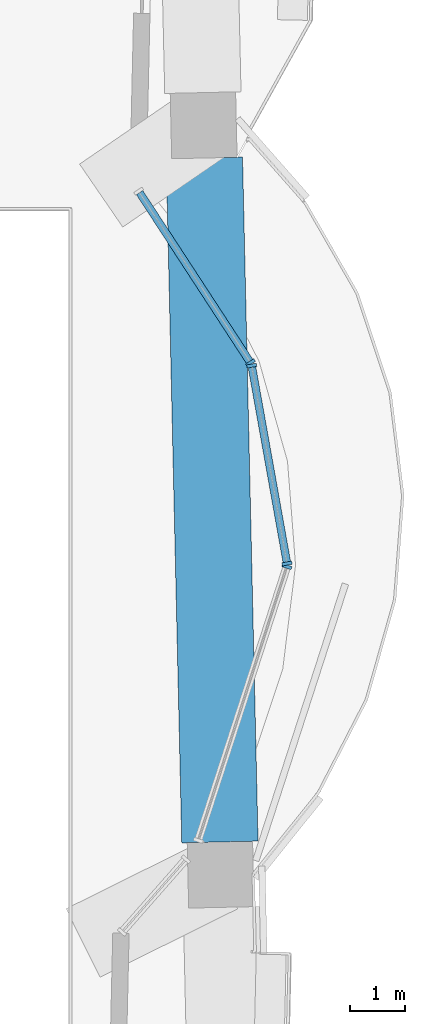
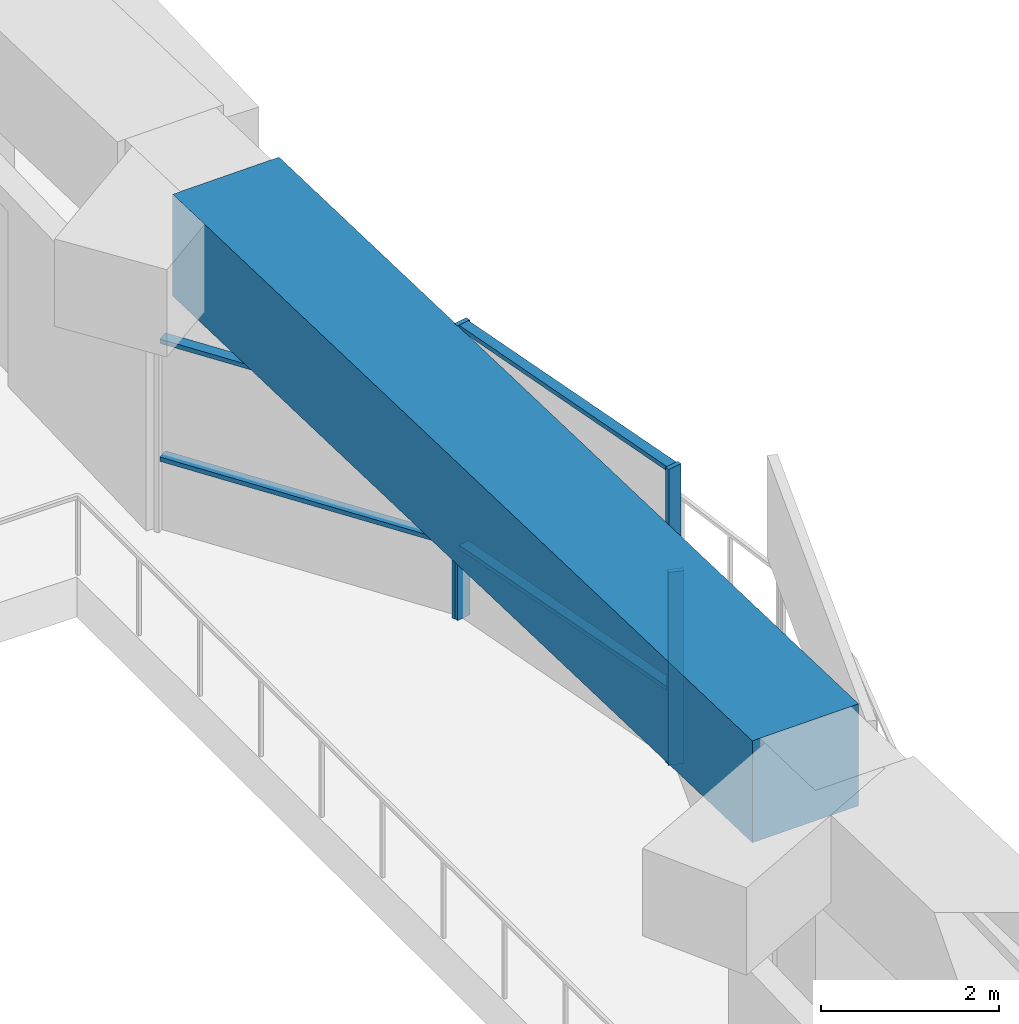
# One storey, part 4 of 19: 8 members, 1 beam, 3 elements without a shape of their own.
"""IFC4 building model written with IfcOpenShell, lengths in metres."""

import ifcopenshell
import ifcopenshell.guid

model = None  # the IFC model being written
_history = None  # IfcOwnerHistory: only IFC2X3 demands one
_inside = {}  # id of a spatial element -> (the spatial element, [elements in it])
_under = {}  # id of a project, library or spatial element -> (it, [spatial elements below it])
_declared = {}  # id of a project -> (the project, [libraries it declares])
_typed = {}  # id of a type object -> (the type object, [elements of that type])
_made_of = {}  # id of a material, layer set ... -> (it, [elements and type objects made of it])


def new_model(schema):
    """Start an empty IFC model of exactly this schema.

    Asked for "IFC4X3", IfcOpenShell would pick the latest addendum, in which some entities
    have other attributes; the version numbers below select the first issue.
    IFC2X3 requires an IfcOwnerHistory on every rooted entity: one is made here for all.
    """
    global model, _history
    if schema == "IFC4X3":
        model = ifcopenshell.file(schema_version=(4, 3, 0, 0))
    else:
        model = ifcopenshell.file(schema=schema)
    _inside.clear()
    _under.clear()
    _declared.clear()
    _typed.clear()
    _made_of.clear()
    _history = None
    if model.schema == "IFC2X3":
        org = make("IfcOrganization", Name="unknown")
        user = make(
            "IfcPersonAndOrganization",
            ThePerson=make("IfcPerson", FamilyName="unknown"),
            TheOrganization=org,
        )
        app = make(
            "IfcApplication",
            ApplicationDeveloper=org,
            Version="unknown",
            ApplicationFullName="unknown",
            ApplicationIdentifier="unknown",
        )
        _history = make(
            "IfcOwnerHistory",
            OwningUser=user,
            OwningApplication=app,
            ChangeAction="ADDED",
            CreationDate=0,
        )
    return model


def make(cls, **values):
    """One entity of the class cls with the attributes given. An attribute that is None is left unset."""
    return model.create_entity(
        cls, **{name: value for name, value in values.items() if value is not None}
    )


def rooted(cls, **values):
    """An entity with a GlobalId (a new one), such as an element, a storey or a relation."""
    return make(cls, GlobalId=ifcopenshell.guid.new(), OwnerHistory=_history, **values)


def si_unit(unit_type, name, prefix=None):
    """IfcSIUnit, for example si_unit("LENGTHUNIT", "METRE", prefix="MILLI")."""
    return make("IfcSIUnit", UnitType=unit_type, Prefix=prefix, Name=name)


def assignment(units):
    """IfcUnitAssignment: the units of a project."""
    return None if units is None else make("IfcUnitAssignment", Units=units)


def point(xyz):
    """IfcCartesianPoint."""
    return None if xyz is None else make("IfcCartesianPoint", Coordinates=xyz)


def direction(xyz):
    """IfcDirection."""
    return None if xyz is None else make("IfcDirection", DirectionRatios=xyz)


def frame(location, z_axis=None, x_axis=None):
    """IfcAxis2Placement3D, a coordinate frame: its origin and axes. An axis left out is left unset."""
    return make(
        "IfcAxis2Placement3D",
        Location=point(location),
        Axis=direction(z_axis),
        RefDirection=direction(x_axis),
    )


def frame_2d(location, x_axis=None):
    """IfcAxis2Placement2D, a coordinate frame in the plane: its origin and x axis."""
    return make(
        "IfcAxis2Placement2D", Location=point(location), RefDirection=direction(x_axis)
    )


def origin():
    """The frame at (0, 0, 0) with its axes left unset."""
    return frame((0.0, 0.0, 0.0))


def origin_2d():
    """The frame at (0, 0) in the plane with its x axis left unset."""
    return frame_2d((0.0, 0.0))


def place(relative_to, where):
    """IfcLocalPlacement: puts the frame where relative to a parent placement (None: the world)."""
    return make(
        "IfcLocalPlacement", PlacementRelTo=relative_to, RelativePlacement=where
    )


def context(
    kind, dimensions, precision=None, world=None, true_north=None, identifier=None
):
    """IfcGeometricRepresentationContext, for example the 3D "Model" context."""
    return make(
        "IfcGeometricRepresentationContext",
        ContextIdentifier=identifier,
        ContextType=kind,
        CoordinateSpaceDimension=dimensions,
        Precision=precision,
        WorldCoordinateSystem=world,
        TrueNorth=true_north,
    )


def subcontext(parent, identifier, kind, view, scale=None):
    """IfcGeometricRepresentationSubContext, for example "Body" below "Model"."""
    return make(
        "IfcGeometricRepresentationSubContext",
        ContextIdentifier=identifier,
        ContextType=kind,
        ParentContext=parent,
        TargetScale=scale,
        TargetView=view,
    )


def project(units=None, contexts=None):
    """IfcProject with its units and contexts."""
    return rooted(
        "IfcProject",
        Name="project",
        RepresentationContexts=contexts,
        UnitsInContext=assignment(units),
    )


def spatial(cls, under=None, at=None, **own):
    """A site, building, storey or space (cls), placed at a placement, below another one or the project."""
    s = rooted(cls, ObjectPlacement=at, **own)
    if under is not None:
        _under.setdefault(under.id(), (under, []))[1].append(s)
    return s


def profile(cls, at=None, kind="AREA", **sizes):
    """A parametric profile (cls). Its sizes go by their IFC names, for example OverallWidth=200.0."""
    return make(cls, ProfileType=kind, Position=at, **sizes)


def rectangle(**sizes):
    """IfcRectangleProfileDef."""
    return profile("IfcRectangleProfileDef", **sizes)


def extrude(swept, where, along, depth):
    """IfcExtrudedAreaSolid: the profile swept, set in the frame where, extruded along a direction by depth."""
    return make(
        "IfcExtrudedAreaSolid",
        SweptArea=swept,
        Position=where,
        ExtrudedDirection=direction(along),
        Depth=depth,
    )


def shape(context_of_items, identifier, shape_type, items):
    """IfcShapeRepresentation: the items that make up one representation, for example the "Body"."""
    return make(
        "IfcShapeRepresentation",
        ContextOfItems=context_of_items,
        RepresentationIdentifier=identifier,
        RepresentationType=shape_type,
        Items=items,
    )


def material(Name=None, Category=None):
    """IfcMaterial."""
    return make("IfcMaterial", Name=Name, Category=Category)


def material_profile(
    of_material, cross_section, Name=None, Category=None, Priority=None
):
    """IfcMaterialProfile: a cross section and its material."""
    return make(
        "IfcMaterialProfile",
        Name=Name,
        Material=of_material,
        Profile=cross_section,
        Priority=Priority,
        Category=Category,
    )


def profile_set(profiles, Name=None, composite=None):
    """IfcMaterialProfileSet."""
    return make(
        "IfcMaterialProfileSet",
        Name=Name,
        MaterialProfiles=profiles,
        CompositeProfile=composite,
    )


def made_of(thing, what):
    """Note that an element or type object is made of a material, layer set ...; save() writes the relation."""
    if what is not None:
        _made_of.setdefault(what.id(), (what, []))[1].append(thing)
    return thing


def type_object(cls, material=None, **own):
    """A type object (cls), such as IfcWallType, which elements share."""
    return made_of(rooted(cls, **own), material)


def element(
    cls,
    number,
    at=None,
    inside=None,
    cuts=None,
    type_object=None,
    material=None,
    context=None,
    identifier="Body",
    shape_type=None,
    held_by="IfcProductDefinitionShape",
    body=None,
    shapes=None,
    **own,
):
    """One element of the class cls, such as IfcWall. Its Tag is "e" and its number.

    at: its placement. inside: the storey or other place that contains it. cuts: it is an
    opening in that element (IfcRelVoidsElement). A single representation is given by context,
    identifier, shape_type and body (its items); several are given by shapes. held_by: the class
    of the entity that holds the representations. save() writes the other relations.
    """
    e = rooted(cls, Tag="e%d" % number, ObjectPlacement=at, **own)
    if body is not None:
        shapes = [shape(context, identifier, shape_type, body)]
    if shapes is not None:
        e.Representation = make(held_by, Representations=shapes)
    if inside is not None:
        _inside.setdefault(inside.id(), (inside, []))[1].append(e)
    if cuts is not None:
        rooted(
            "IfcRelVoidsElement", RelatingBuildingElement=cuts, RelatedOpeningElement=e
        )
    if type_object is not None:
        _typed.setdefault(type_object.id(), (type_object, []))[1].append(e)
    return made_of(e, material)


def aggregate(whole, parts):
    """IfcRelAggregates: a whole, such as a stair, and the parts it consists of."""
    return rooted("IfcRelAggregates", RelatingObject=whole, RelatedObjects=parts)


def save(model, path):
    """Write the relations noted so far, then the file.

    IfcRelAggregates (storeys below a building ...), IfcRelContainedInSpatialStructure (elements
    in a storey), IfcRelDefinesByType, IfcRelAssociatesMaterial and IfcRelDeclares: one each for
    every whole, place, type object, material and project.
    """
    for whole, parts in _under.values():
        aggregate(whole, parts)
    for where, things in _inside.values():
        rooted(
            "IfcRelContainedInSpatialStructure",
            RelatedElements=things,
            RelatingStructure=where,
        )
    for kind, things in _typed.values():
        rooted("IfcRelDefinesByType", RelatedObjects=things, RelatingType=kind)
    for what, things in _made_of.values():
        rooted("IfcRelAssociatesMaterial", RelatedObjects=things, RelatingMaterial=what)
    for by, libraries in _declared.values():
        rooted("IfcRelDeclares", RelatingContext=by, RelatedDefinitions=libraries)
    model.write(path)


model = new_model("IFC4")

# Units and contexts
model_context = context("Model", 3, precision=1e-05, world=origin(), true_north=direction((0.0, 1.0)))
body_context = subcontext(model_context, "Body", "Model", "MODEL_VIEW")
ifc_project = project(units=[si_unit("LENGTHUNIT", "METRE"), si_unit("AREAUNIT", "SQUARE_METRE"), si_unit("VOLUMEUNIT", "CUBIC_METRE"), si_unit("PLANEANGLEUNIT", "RADIAN"), si_unit("MASSUNIT", "GRAM", prefix="KILO")], contexts=[model_context])

# Site, building, storey
site_placement = place(None, origin())
site = spatial("IfcSite", under=ifc_project, at=site_placement, CompositionType="ELEMENT")
building_placement = place(site_placement, origin())
building = spatial("IfcBuilding", under=site, at=building_placement, Name="Mangrove Gate Tower", CompositionType="ELEMENT")
storey_placement = place(building_placement, frame((0.0, 0.0, 193.300048828125)))
storey = spatial("IfcBuildingStorey", under=building, at=storey_placement, Name="L49", CompositionType="ELEMENT", Elevation=193.300048828125)

# Curtain wall, member
ifc_material_1 = material(Name="Aluminium and glass curtain wall", Category="aluminium")
curtain_wall_type = type_object("IfcCurtainWallType", Name="Sky-lounge glazing wall", PredefinedType="NOTDEFINED", material=ifc_material_1)
curtain_wall_1_placement = place(storey_placement, origin())
curtain_wall_1 = element("IfcCurtainWall", 1, at=curtain_wall_1_placement, inside=storey, type_object=curtain_wall_type, Name="Sky-lounge glazing E1p2f1", PredefinedType="NOTDEFINED")
ifc_material_2 = material(Name="Aluminium alloy 6063-T6", Category="aluminium")
ifc_material_profile_1 = material_profile(ifc_material_2, rectangle(XDim=0.06005859375, YDim=0.179931640625, at=origin_2d()))
ifc_profile_set_1 = profile_set([ifc_material_profile_1], Name="Aluminium alloy 6063-T6")
member_type_1 = type_object("IfcMemberType", Name="Sky-lounge glazing mullion 60x180", PredefinedType="MULLION", material=ifc_profile_set_1)
member_1_placement = place(storey_placement, frame((27.004638671875, 0.97216796875, 0.0), z_axis=(0.0, 0.0, 1.0), x_axis=(0.308041529526, 0.951372911159, 0.0)))
member_1 = element("IfcMember", 2, at=member_1_placement, type_object=member_type_1, Name="CWK mullion 2", PredefinedType="MULLION", context=body_context, shape_type="SweptSolid", body=[
    extrude(rectangle(XDim=0.06005859375, YDim=0.179931640625, at=origin_2d()), origin(), (0.0, 0.0, 1.0), 2.64990234375),
])
aggregate(curtain_wall_1, [member_1])

# Curtain wall, members
curtain_wall_2_placement = place(storey_placement, origin())
curtain_wall_2 = element("IfcCurtainWall", 3, at=curtain_wall_2_placement, inside=storey, type_object=curtain_wall_type, Name="Sky-lounge glazing E1p2f2", PredefinedType="NOTDEFINED")
member_2_placement = place(storey_placement, frame((27.008544921875, 1.0302734375, 0.0), z_axis=(0.0, 0.0, 1.0), x_axis=(-0.175967680157, 0.984395944496, 0.0)))
member_2 = element("IfcMember", 4, at=member_2_placement, type_object=member_type_1, Name="CWK mullion 1", PredefinedType="MULLION", context=body_context, shape_type="SweptSolid", body=[
    extrude(rectangle(XDim=0.06005859375, YDim=0.179931640625, at=origin_2d()), origin(), (0.0, 0.0, 1.0), 4.050048828125),
])
member_3_placement = place(storey_placement, frame((26.35986328125, 4.659423828125, 0.0), z_axis=(0.0, 0.0, 1.0), x_axis=(-0.175967680157, 0.984395944496, 0.0)))
member_3 = element("IfcMember", 5, at=member_3_placement, type_object=member_type_1, Name="CWK mullion 2", PredefinedType="MULLION", context=body_context, shape_type="SweptSolid", body=[
    extrude(rectangle(XDim=0.06005859375, YDim=0.179931640625, at=origin_2d()), origin(), (0.0, 0.0, 1.0), 4.050048828125),
])

# Curtain wall, member
curtain_wall_3_placement = place(storey_placement, origin())
curtain_wall_3 = element("IfcCurtainWall", 6, at=curtain_wall_3_placement, inside=storey, type_object=curtain_wall_type, Name="Sky-lounge glazing E1p2f3", PredefinedType="NOTDEFINED")
member_4_placement = place(storey_placement, frame((26.338134765625, 4.714111328125, 0.0), z_axis=(0.0, 0.0, 1.0), x_axis=(-0.546235085045, 0.837631919083, 0.0)))
member_4 = element("IfcMember", 7, at=member_4_placement, type_object=member_type_1, Name="CWK mullion 1", PredefinedType="MULLION", context=body_context, shape_type="SweptSolid", body=[
    extrude(rectangle(XDim=0.06005859375, YDim=0.179931640625, at=origin_2d()), origin(), (0.0, 0.0, 1.0), 2.64990234375),
])

# Member
ifc_material_3 = material(Name="Aluminium alloy 6063-T6", Category="aluminium")
ifc_material_profile_2 = material_profile(ifc_material_3, rectangle(XDim=0.06005859375, YDim=0.139892578125, at=origin_2d()))
ifc_profile_set_2 = profile_set([ifc_material_profile_2], Name="Aluminium alloy 6063-T6")
member_type_2 = type_object("IfcMemberType", Name="Sky-lounge glazing transom 60x140", PredefinedType="USERDEFINED", material=ifc_profile_set_2)
member_5_placement = place(storey_placement, frame((27.00341796875, 1.059814453125, 1.0), z_axis=(-0.175970040086, 0.984395522639, 0.0), x_axis=(0.0, 0.0, 1.0)))
member_5 = element("IfcMember", 8, at=member_5_placement, type_object=member_type_2, Name="CWK transom 1.2", ObjectType="TRANSOM", PredefinedType="USERDEFINED", context=body_context, shape_type="SweptSolid", body=[
    extrude(rectangle(XDim=0.06005859375, YDim=0.139892578125, at=origin_2d()), origin(), (0.0, 0.0, 1.0), 3.626708984375),
])

member_6_placement = place(storey_placement, frame((27.00341796875, 1.059814453125, 4.02001953125), z_axis=(-0.175970040086, 0.984395522639, 0.0), x_axis=(0.0, 0.0, 1.0)))
member_6 = element("IfcMember", 9, at=member_6_placement, type_object=member_type_2, Name="CWK transom 1.3", ObjectType="TRANSOM", PredefinedType="USERDEFINED", context=body_context, shape_type="SweptSolid", body=[
    extrude(rectangle(XDim=0.06005859375, YDim=0.139892578125, at=origin_2d()), origin(), (0.0, 0.0, 1.0), 3.626708984375),
])

aggregate(curtain_wall_2, [member_2, member_3, member_5, member_6])

member_7_placement = place(storey_placement, frame((26.32177734375, 4.7392578125, 1.0), z_axis=(-0.546211360714, 0.837647389674, 0.0), x_axis=(0.0, 0.0, 1.0)))
member_7 = element("IfcMember", 10, at=member_7_placement, type_object=member_type_2, Name="CWK transom 1.2", ObjectType="TRANSOM", PredefinedType="USERDEFINED", context=body_context, shape_type="SweptSolid", body=[
    extrude(rectangle(XDim=0.06005859375, YDim=0.139892578125, at=origin_2d()), origin(), (0.0, 0.0, 1.0), 3.696044921875),
])

member_8_placement = place(storey_placement, frame((26.32177734375, 4.7392578125, 2.619873046875), z_axis=(-0.546211360714, 0.837647389674, 0.0), x_axis=(0.0, 0.0, 1.0)))
member_8 = element("IfcMember", 11, at=member_8_placement, type_object=member_type_2, Name="CWK transom 1.3", ObjectType="TRANSOM", PredefinedType="USERDEFINED", context=body_context, shape_type="SweptSolid", body=[
    extrude(rectangle(XDim=0.06005859375, YDim=0.139892578125, at=origin_2d()), origin(), (0.0, 0.0, 1.0), 3.696044921875),
])

aggregate(curtain_wall_3, [member_4, member_7, member_8])

# Beam
ifc_material_4 = material(Name="Concrete C60/75", Category="concrete")
ifc_material_profile_3 = material_profile(ifc_material_4, rectangle(XDim=1.39990234375, YDim=1.39990234375, at=origin_2d()))
ifc_profile_set_3 = profile_set([ifc_material_profile_3], Name="Concrete C60/75")
beam_type = type_object("IfcBeamType", Name="Transfer girder RC 1400x1400 C60/75", PredefinedType="BEAM", material=ifc_profile_set_3)
beam_placement = place(storey_placement, frame((25.776611328125, -4.078857421875, 3.349853515625), z_axis=(-0.022699313353, 0.999742337392, 0.0), x_axis=(-0.999742337392, -0.022699313353, 0.0)))
element("IfcBeam", 12, at=beam_placement, inside=storey, type_object=beam_type, Name="Transfer ring girder L49 14", PredefinedType="BEAM", context=body_context, shape_type="SweptSolid", body=[
    extrude(rectangle(XDim=1.39990234375, YDim=1.39990234375, at=origin_2d()), origin(), (0.0, 0.0, 1.0), 12.551513671875),
])

save(model, "model.ifc")
